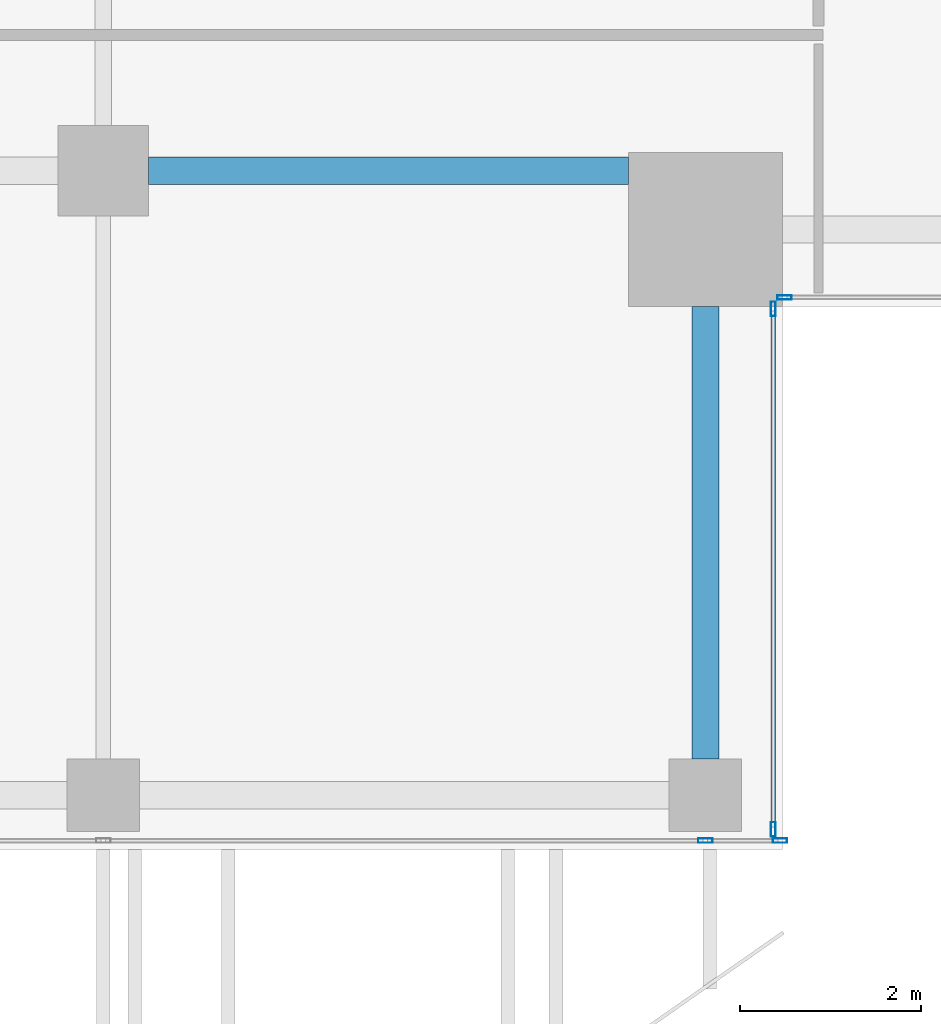
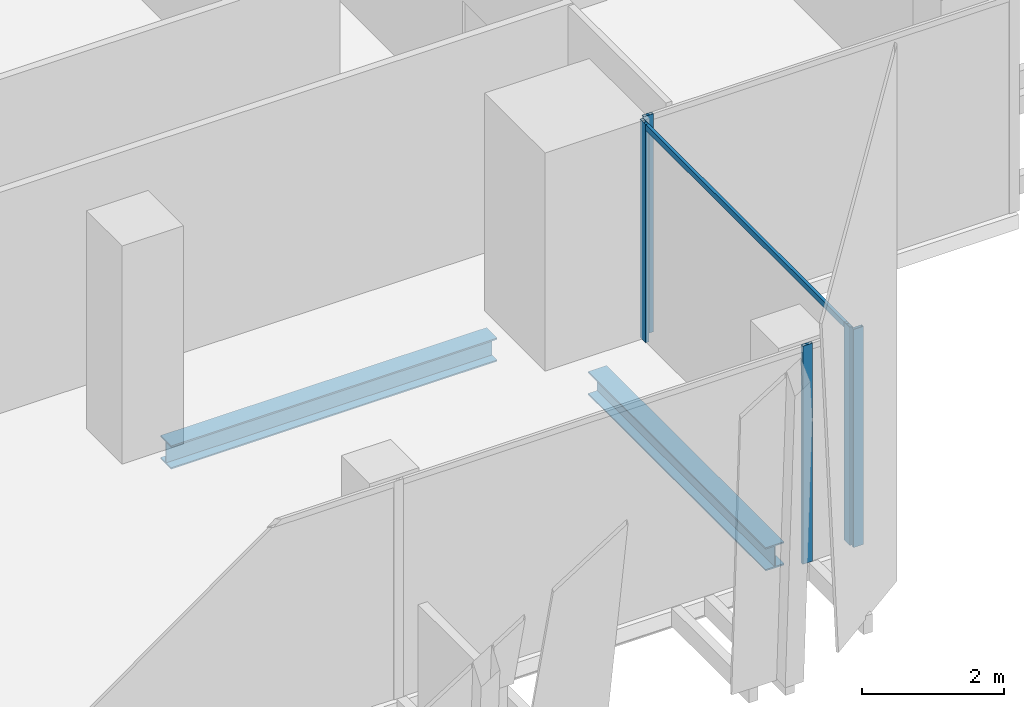
# One storey, part 7 of 32: 6 members, 2 beams, 3 elements without a shape of their own.
"""IFC4 building model written with IfcOpenShell, lengths in metres."""

from ifc_helpers import new_model, si_unit, direction, frame, origin, origin_2d, place, context, subcontext, project, spatial, hollow_rectangle, i_section, extrude, source, transform, mapped, material, material_profile, profile_set, type_object, element, aggregate, save


model = new_model("IFC4")

# Units and contexts
model_context = context("Model", 3, precision=1e-05, world=origin(), true_north=direction((0.0, 1.0)))
body_context = subcontext(model_context, "Body", "Model", "MODEL_VIEW")
ifc_project = project(units=[si_unit("LENGTHUNIT", "METRE"), si_unit("AREAUNIT", "SQUARE_METRE"), si_unit("VOLUMEUNIT", "CUBIC_METRE"), si_unit("PLANEANGLEUNIT", "RADIAN"), si_unit("MASSUNIT", "GRAM", prefix="KILO")], contexts=[model_context])

# Site, building, storey
site_placement = place(None, origin())
site = spatial("IfcSite", under=ifc_project, at=site_placement, CompositionType="ELEMENT")
building_placement = place(site_placement, origin())
building = spatial("IfcBuilding", under=site, at=building_placement, Name="Khomas Fold Tower", CompositionType="ELEMENT")
storey_placement = place(building_placement, frame((0.0, 0.0, 306.199951171875)))
storey = spatial("IfcBuildingStorey", under=building, at=storey_placement, Name="L69", CompositionType="ELEMENT", Elevation=306.199951171875)

# Beams
ifc_material_1 = material(Name="Steel S355", Category="steel")
ifc_material_profile_1 = material_profile(ifc_material_1, i_section(OverallWidth=0.300048828125, OverallDepth=0.39990234375, WebThickness=0.013427734375, FlangeThickness=0.02392578125, at=origin_2d()), Name="HE 400 B")
ifc_profile_set_1 = profile_set([ifc_material_profile_1], Name="Steel S355")
beam_type_1 = type_object("IfcBeamType", Name="HE 400 B spandrel SB5", PredefinedType="SPANDREL", material=ifc_profile_set_1)
shared_shape_1 = source(origin(), body_context, "Body", "SweptSolid", [
    extrude(i_section(OverallWidth=0.300048828125, OverallDepth=0.39990234375, WebThickness=0.013427734375, FlangeThickness=0.02392578125, at=origin_2d()), origin(), (0.0, 0.0, 1.0), 5.0),
])
beam_1_placement = place(storey_placement, frame((41.14990234375, 7.0, -0.449951171875), z_axis=(0.0, 1.0, 0.0), x_axis=(-1.0, 0.0, 0.0)))
element("IfcBeam", 1, at=beam_1_placement, inside=storey, type_object=beam_type_1, Name="SB5", PredefinedType="SPANDREL", context=body_context, shape_type="MappedRepresentation", body=[
    mapped(shared_shape_1, transform((0.0, 0.0, 0.0))),
])
ifc_material_2 = material(Name="Steel S355", Category="steel")
ifc_material_profile_2 = material_profile(ifc_material_2, i_section(OverallWidth=0.300048828125, OverallDepth=0.39990234375, WebThickness=0.013427734375, FlangeThickness=0.02392578125, at=origin_2d()), Name="HE 400 B")
ifc_profile_set_2 = profile_set([ifc_material_profile_2], Name="Steel S355")
beam_type_2 = type_object("IfcBeamType", Name="HE 400 B beam GB1", PredefinedType="BEAM", material=ifc_profile_set_2)
shared_shape_2 = source(origin(), body_context, "Body", "SweptSolid", [
    extrude(i_section(OverallWidth=0.300048828125, OverallDepth=0.39990234375, WebThickness=0.013427734375, FlangeThickness=0.02392578125, at=origin_2d()), origin(), (0.0, 0.0, 1.0), 5.300048828125),
])
beam_2_placement = place(storey_placement, frame((35.0, 13.5, -0.449951171875), z_axis=(1.0, 0.0, 0.0), x_axis=(0.0, 1.0, 0.0)))
element("IfcBeam", 2, at=beam_2_placement, inside=storey, type_object=beam_type_2, Name="GB1", PredefinedType="BEAM", context=body_context, shape_type="MappedRepresentation", body=[
    mapped(shared_shape_2, transform((0.0, 0.0, 0.0))),
])

# Curtain wall, members
ifc_material_3 = material(Name="Aluminium framed double glazing", Category="aluminium")
curtain_wall_type = type_object("IfcCurtainWallType", Name="SK-Unitised clear-glass wall, upper floors CW3", PredefinedType="NOTDEFINED", material=ifc_material_3)
curtain_wall_1_placement = place(storey_placement, origin())
curtain_wall_1 = element("IfcCurtainWall", 3, at=curtain_wall_1_placement, inside=storey, type_object=curtain_wall_type, Name="CW3 run L69 00-0", PredefinedType="NOTDEFINED")
ifc_material_4 = material(Name="Aluminium", Category="aluminium")
ifc_material_profile_3 = material_profile(ifc_material_4, hollow_rectangle(XDim=0.050048828125, YDim=0.159912109375, WallThickness=0.00390625, at=origin_2d()), Name="SK-Unitised clear-glass wall, upper floors mullion CW3-M")
ifc_profile_set_3 = profile_set([ifc_material_profile_3], Name="Aluminium")
member_type_1 = type_object("IfcMemberType", Name="SK-Unitised clear-glass wall, upper floors mullion CW3-M", PredefinedType="MULLION", material=ifc_profile_set_3)
shared_shape_3 = source(origin(), body_context, "Body", "SweptSolid", [
    extrude(hollow_rectangle(XDim=0.050048828125, YDim=0.159912109375, WallThickness=0.00390625, at=origin_2d()), origin(), (0.0, 0.0, 1.0), 3.75),
])
member_1_placement = place(storey_placement, frame((41.14990234375, 6.10009765625, 0.0), z_axis=(0.0, 0.0, 1.0), x_axis=(0.0, 1.0, 0.0)))
member_1 = element("IfcMember", 4, at=member_1_placement, type_object=member_type_1, Name="CW3 mullion 6", PredefinedType="MULLION", context=body_context, shape_type="MappedRepresentation", body=[
    mapped(shared_shape_3, transform((0.0, 0.0, 0.0))),
])
member_2_placement = place(storey_placement, frame((41.97509765625, 6.10009765625, 0.0), z_axis=(0.0, 0.0, 1.0), x_axis=(0.0, 1.0, 0.0)))
member_2 = element("IfcMember", 5, at=member_2_placement, type_object=member_type_1, Name="CW3 mullion 7", PredefinedType="MULLION", context=body_context, shape_type="MappedRepresentation", body=[
    mapped(shared_shape_3, transform((0.0, 0.0, 0.0))),
])
aggregate(curtain_wall_1, [member_1, member_2])

curtain_wall_2_placement = place(storey_placement, origin())
curtain_wall_2 = element("IfcCurtainWall", 6, at=curtain_wall_2_placement, inside=storey, type_object=curtain_wall_type, Name="CW3 corner return L69 01", PredefinedType="NOTDEFINED")
member_3_placement = place(storey_placement, frame((41.89990234375, 6.22509765625, 0.0), z_axis=(0.0, 0.0, 1.0), x_axis=(-1.0, 0.0, 0.0)))
member_3 = element("IfcMember", 7, at=member_3_placement, type_object=member_type_1, Name="CW3 mullion 1", PredefinedType="MULLION", context=body_context, shape_type="MappedRepresentation", body=[
    mapped(shared_shape_3, transform((0.0, 0.0, 0.0))),
])
member_4_placement = place(storey_placement, frame((41.89990234375, 11.97509765625, 0.0), z_axis=(0.0, 0.0, 1.0), x_axis=(-1.0, 0.0, 0.0)))
member_4 = element("IfcMember", 8, at=member_4_placement, type_object=member_type_1, Name="CW3 mullion 2", PredefinedType="MULLION", context=body_context, shape_type="MappedRepresentation", body=[
    mapped(shared_shape_3, transform((0.0, 0.0, 0.0))),
])

# Curtain wall, member
curtain_wall_3_placement = place(storey_placement, origin())
curtain_wall_3 = element("IfcCurtainWall", 9, at=curtain_wall_3_placement, inside=storey, type_object=curtain_wall_type, Name="CW3 corner return L69 02", PredefinedType="NOTDEFINED")
member_5_placement = place(storey_placement, frame((42.02490234375, 12.10009765625, 0.0), z_axis=(0.0, 0.0, 1.0), x_axis=(0.0, 1.0, 0.0)))
member_5 = element("IfcMember", 10, at=member_5_placement, type_object=member_type_1, Name="CW3 mullion 1", PredefinedType="MULLION", context=body_context, shape_type="MappedRepresentation", body=[
    mapped(shared_shape_3, transform((0.0, 0.0, 0.0))),
])
aggregate(curtain_wall_3, [member_5])

# Member
ifc_material_5 = material(Name="Aluminium", Category="aluminium")
ifc_material_profile_4 = material_profile(ifc_material_5, hollow_rectangle(XDim=0.050048828125, YDim=0.10009765625, WallThickness=0.00390625, at=origin_2d()), Name="SK-Unitised clear-glass wall, upper floors transom CW3-T")
ifc_profile_set_4 = profile_set([ifc_material_profile_4], Name="Aluminium")
member_type_2 = type_object("IfcMemberType", Name="SK-Unitised clear-glass wall, upper floors transom CW3-T", PredefinedType="USERDEFINED", material=ifc_profile_set_4)
shared_shape_4 = source(origin(), body_context, "Body", "SweptSolid", [
    extrude(hollow_rectangle(XDim=0.050048828125, YDim=0.10009765625, WallThickness=0.00390625, at=origin_2d()), origin(), (0.0, 0.0, 1.0), 5.699951171875),
])
member_6_placement = place(storey_placement, frame((41.89990234375, 6.25, 3.699951171875), z_axis=(0.0, 1.0, 0.0), x_axis=(-1.0, 0.0, 0.0)))
member_6 = element("IfcMember", 11, at=member_6_placement, type_object=member_type_2, Name="CW3 transom 1", ObjectType="TRANSOM", PredefinedType="USERDEFINED", context=body_context, shape_type="MappedRepresentation", body=[
    mapped(shared_shape_4, transform((0.0, 0.0, 0.0))),
])

aggregate(curtain_wall_2, [member_3, member_4, member_6])

save(model, "model.ifc")
